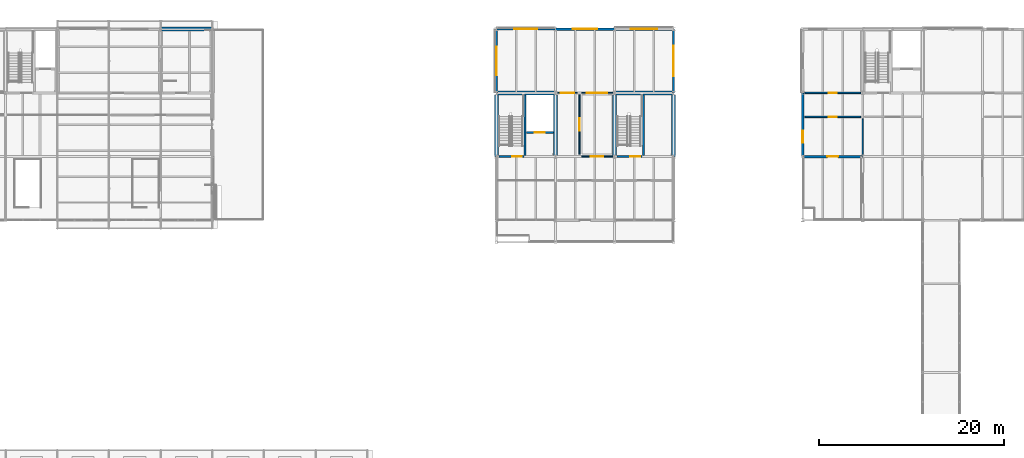
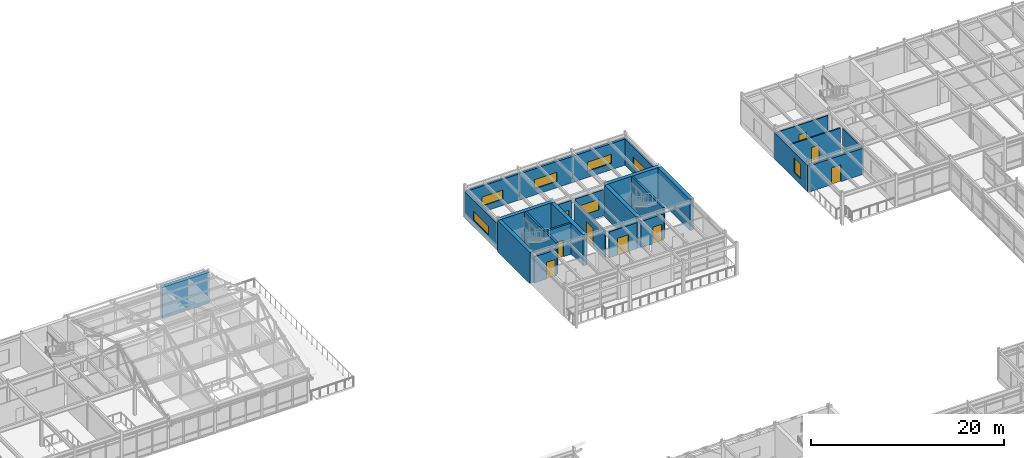
# One storey, part 134 of 144: 26 walls, 9 doors, 7 windows, 16 openings.
"""IFC4 building model written with IfcOpenShell, lengths in metres."""

from ifc_helpers import new_model, si_unit, direction, frame, frame_2d, origin, place, context, subcontext, project, spatial, rectangle, extrude, material, layer, layer_set, type_object, element, fill, save


model = new_model("IFC4")

# Units and contexts
model_context = context("Model", 3, precision=1e-05, world=origin(), true_north=direction((0.0, 1.0)))
body_context = subcontext(model_context, "Body", "Model", "MODEL_VIEW")
ifc_project = project(units=[si_unit("LENGTHUNIT", "METRE"), si_unit("AREAUNIT", "SQUARE_METRE"), si_unit("VOLUMEUNIT", "CUBIC_METRE"), si_unit("PLANEANGLEUNIT", "RADIAN"), si_unit("MASSUNIT", "GRAM", prefix="KILO")], contexts=[model_context])

# Site, building, storey
site_placement = place(None, origin())
site = spatial("IfcSite", under=ifc_project, at=site_placement, CompositionType="ELEMENT")
building_placement = place(site_placement, origin())
building = spatial("IfcBuilding", under=site, at=building_placement, Name="Trelmorton Wharf Fire Station", CompositionType="ELEMENT")
storey_placement = place(building_placement, frame((0.0, 0.0, 5.39990234375)))
storey = spatial("IfcBuildingStorey", under=building, at=storey_placement, Name="L01", CompositionType="ELEMENT", Elevation=5.39990234375)

# Wall, opening, window
ifc_material_1 = material(Name="Precast concrete 45 MPa", Category="concrete")
ifc_layer_1 = layer(ifc_material_1, 0.22998046875)
ifc_layer_set_1 = layer_set([ifc_layer_1], Name="Precast concrete 45 MPa")
wall_type_1 = type_object("IfcWallType", Name="EW_PREC_230", PredefinedType="SOLIDWALL", material=ifc_layer_set_1)
wall_1_placement = place(storey_placement, frame((70.804931640625, 81.0, 0.0), z_axis=(0.0, 0.0, 1.0), x_axis=(1.0, 0.0, 0.0)))
wall_1 = element("IfcWall", 1, at=wall_1_placement, inside=storey, type_object=wall_type_1, Name="EW-V2-L01-0162", PredefinedType="SOLIDWALL", context=body_context, shape_type="SweptSolid", body=[
    extrude(rectangle(XDim=6.39013671875, YDim=0.22998046875, at=frame_2d((3.195068359375, 0.0))), origin(), (0.0, 0.0, 1.0), 3.320068359375),
])
opening_1_placement = place(wall_1_placement, frame((1.945068359375, 0.0, 0.800048828125)))
opening_1 = element("IfcOpeningElement", 2, at=opening_1_placement, cuts=wall_1, Name="Opening W26", PredefinedType="OPENING", context=body_context, shape_type="SweptSolid", body=[
    extrude(rectangle(XDim=2.5, YDim=1.14990234375, at=frame_2d((1.25, 0.574951171875))), frame((0.0, 0.125, 0.0), z_axis=(0.0, -1.0, 0.0), x_axis=(1.0, 0.0, 0.0)), (0.0, 0.0, 1.0), 0.25),
])
ifc_material_2 = material(Name="Tempered low-E double glazing", Category="glass")
window_type_1 = type_object("IfcWindowType", Name="WIN_W26", PartitioningType="TRIPLE_PANEL_VERTICAL", PredefinedType="WINDOW", material=ifc_material_2)
window_1_placement = place(opening_1_placement, origin())
window_1 = element("IfcWindow", 3, at=window_1_placement, inside=storey, type_object=window_type_1, Name="WN-V2-L01-0088", OverallHeight=1.14990234375, OverallWidth=2.5, PartitioningType="TRIPLE_PANEL_VERTICAL", PredefinedType="WINDOW", context=body_context, shape_type="SweptSolid", body=[
    extrude(rectangle(XDim=2.5, YDim=1.14990234375, at=frame_2d((1.25, 0.574951171875))), frame((0.0, 0.030029296875, 0.0), z_axis=(0.0, -1.0, 0.0), x_axis=(1.0, 0.0, 0.0)), (0.0, 0.0, 1.0), 0.06005859375),
])
fill(opening_1, window_1)

wall_2_placement = place(storey_placement, frame((70.800048828125, 74.10498046875, 0.0), z_axis=(0.0, 0.0, 1.0), x_axis=(0.0, 1.0, 0.0)))
wall_2 = element("IfcWall", 4, at=wall_2_placement, inside=storey, type_object=wall_type_1, Name="EW-V2-L01-0168", PredefinedType="SOLIDWALL", context=body_context, shape_type="SweptSolid", body=[
    extrude(rectangle(XDim=6.89013671875, YDim=0.22998046875, at=frame_2d((3.445068359375, 0.0))), origin(), (0.0, 0.0, 1.0), 3.320068359375),
])
opening_2_placement = place(wall_2_placement, frame((1.89501953125, 0.0, 0.800048828125)))
opening_2 = element("IfcOpeningElement", 5, at=opening_2_placement, cuts=wall_2, Name="Opening W29", PredefinedType="OPENING", context=body_context, shape_type="SweptSolid", body=[
    extrude(rectangle(XDim=3.10009765625, YDim=1.14990234375, at=frame_2d((1.550048828125, 0.574951171875))), frame((0.0, 0.125, 0.0), z_axis=(0.0, -1.0, 0.0), x_axis=(1.0, 0.0, 0.0)), (0.0, 0.0, 1.0), 0.25),
])
window_type_2 = type_object("IfcWindowType", Name="WIN_W29", PartitioningType="TRIPLE_PANEL_VERTICAL", PredefinedType="WINDOW", material=ifc_material_2)
window_2_placement = place(opening_2_placement, origin())
window_2 = element("IfcWindow", 6, at=window_2_placement, inside=storey, type_object=window_type_2, Name="WN-V2-L01-0091", OverallHeight=1.14990234375, OverallWidth=3.10009765625, PartitioningType="TRIPLE_PANEL_VERTICAL", PredefinedType="WINDOW", context=body_context, shape_type="SweptSolid", body=[
    extrude(rectangle(XDim=3.10009765625, YDim=1.14990234375, at=frame_2d((1.550048828125, 0.574951171875))), frame((0.0, 0.030029296875, 0.0), z_axis=(0.0, -1.0, 0.0), x_axis=(1.0, 0.0, 0.0)), (0.0, 0.0, 1.0), 0.06005859375),
])
fill(opening_2, window_2)

ifc_layer_2 = layer(ifc_material_1, 0.25)
ifc_layer_set_2 = layer_set([ifc_layer_2], Name="Precast concrete 45 MPa")
wall_type_2 = type_object("IfcWallType", Name="EW_PREC_250", PredefinedType="SOLIDWALL", material=ifc_layer_set_2)
wall_3_placement = place(storey_placement, frame((90.0, 80.9951171875, 0.0), z_axis=(0.0, 0.0, 1.0), x_axis=(0.0, -1.0, 0.0)))
wall_3 = element("IfcWall", 7, at=wall_3_placement, inside=storey, type_object=wall_type_2, Name="EW-V2-L01-0169", PredefinedType="SOLIDWALL", context=body_context, shape_type="SweptSolid", body=[
    extrude(rectangle(XDim=6.89013671875, YDim=0.25, at=frame_2d((3.445068359375, 0.0))), origin(), (0.0, 0.0, 1.0), 3.320068359375),
])
opening_3_placement = place(wall_3_placement, frame((1.794921875, 0.0, 0.800048828125)))
opening_3 = element("IfcOpeningElement", 8, at=opening_3_placement, cuts=wall_3, Name="Opening W30", PredefinedType="OPENING", context=body_context, shape_type="SweptSolid", body=[
    extrude(rectangle(XDim=3.300048828125, YDim=1.25, at=frame_2d((1.64990234375, 0.625))), frame((0.0, 0.135009765625, 0.0), z_axis=(0.0, -1.0, 0.0), x_axis=(1.0, 0.0, 0.0)), (0.0, 0.0, 1.0), 0.27001953125),
])
window_type_3 = type_object("IfcWindowType", Name="WIN_W30", PartitioningType="TRIPLE_PANEL_VERTICAL", PredefinedType="WINDOW", material=ifc_material_2)
window_3_placement = place(opening_3_placement, origin())
window_3 = element("IfcWindow", 9, at=window_3_placement, inside=storey, type_object=window_type_3, Name="WN-V2-L01-0092", OverallHeight=1.25, OverallWidth=3.300048828125, PartitioningType="TRIPLE_PANEL_VERTICAL", PredefinedType="WINDOW", context=body_context, shape_type="SweptSolid", body=[
    extrude(rectangle(XDim=3.300048828125, YDim=1.25, at=frame_2d((1.64990234375, 0.625))), frame((0.0, 0.030029296875, 0.0), z_axis=(0.0, -1.0, 0.0), x_axis=(1.0, 0.0, 0.0)), (0.0, 0.0, 1.0), 0.06005859375),
])
fill(opening_3, window_3)

wall_4_placement = place(storey_placement, frame((104.0, 67.205078125, 0.0), z_axis=(0.0, 0.0, 1.0), x_axis=(0.0, 1.0, 0.0)))
wall_4 = element("IfcWall", 10, at=wall_4_placement, inside=storey, type_object=wall_type_2, Name="EW-V4-L01-0223", PredefinedType="SOLIDWALL", context=body_context, shape_type="SweptSolid", body=[
    extrude(rectangle(XDim=6.889892578125, YDim=0.25, at=frame_2d((3.44482421875, 0.0))), origin(), (0.0, 0.0, 1.0), 3.320068359375),
])
opening_4_placement = place(wall_4_placement, frame((1.512451171875, 0.0, 0.800048828125)))
opening_4 = element("IfcOpeningElement", 11, at=opening_4_placement, cuts=wall_4, Name="Opening W18", PredefinedType="OPENING", context=body_context, shape_type="SweptSolid", body=[
    extrude(rectangle(XDim=1.300048828125, YDim=1.800048828125, at=frame_2d((0.64990234375, 0.89990234375))), frame((0.0, 0.135009765625, 0.0), z_axis=(0.0, -1.0, 0.0), x_axis=(1.0, 0.0, 0.0)), (0.0, 0.0, 1.0), 0.27001953125),
])
window_type_4 = type_object("IfcWindowType", Name="WIN_W18", PartitioningType="SINGLE_PANEL", PredefinedType="WINDOW", material=ifc_material_2)
window_4_placement = place(opening_4_placement, origin())
window_4 = element("IfcWindow", 12, at=window_4_placement, inside=storey, type_object=window_type_4, Name="WN-V4-L01-0125", OverallHeight=1.800048828125, OverallWidth=1.300048828125, PartitioningType="SINGLE_PANEL", PredefinedType="WINDOW", context=body_context, shape_type="SweptSolid", body=[
    extrude(rectangle(XDim=1.300048828125, YDim=1.800048828125, at=frame_2d((0.64990234375, 0.89990234375))), frame((0.0, 0.030029296875, 0.0), z_axis=(0.0, -1.0, 0.0), x_axis=(1.0, 0.0, 0.0)), (0.0, 0.0, 1.0), 0.06005859375),
])
fill(opening_4, window_4)

ifc_layer_3 = layer(ifc_material_1, 0.27001953125)
ifc_layer_set_3 = layer_set([ifc_layer_3], Name="Precast concrete 45 MPa")
wall_type_3 = type_object("IfcWallType", Name="EW_PREC_270", PredefinedType="SOLIDWALL", material=ifc_layer_set_3)
wall_5_placement = place(storey_placement, frame((77.205078125, 81.0, 0.0), z_axis=(0.0, 0.0, 1.0), x_axis=(1.0, 0.0, 0.0)))
wall_5 = element("IfcWall", 13, at=wall_5_placement, inside=storey, type_object=wall_type_3, Name="EW-V2-L01-0164", PredefinedType="SOLIDWALL", context=body_context, shape_type="SweptSolid", body=[
    extrude(rectangle(XDim=6.389892578125, YDim=0.27001953125, at=frame_2d((3.19482421875, 0.0))), origin(), (0.0, 0.0, 1.0), 3.320068359375),
])
opening_5_placement = place(wall_5_placement, frame((1.844970703125, 0.0, 0.800048828125)))
opening_5 = element("IfcOpeningElement", 14, at=opening_5_placement, cuts=wall_5, Name="Opening W27", PredefinedType="OPENING", context=body_context, shape_type="SweptSolid", body=[
    extrude(rectangle(XDim=2.699951171875, YDim=1.14990234375, at=frame_2d((1.35009765625, 0.574951171875))), frame((0.0, 0.14501953125, 0.0), z_axis=(0.0, -1.0, 0.0), x_axis=(1.0, 0.0, 0.0)), (0.0, 0.0, 1.0), 0.2900390625),
])
window_type_5 = type_object("IfcWindowType", Name="WIN_W27", PartitioningType="TRIPLE_PANEL_VERTICAL", PredefinedType="WINDOW", material=ifc_material_2)
window_5_placement = place(opening_5_placement, origin())
window_5 = element("IfcWindow", 15, at=window_5_placement, inside=storey, type_object=window_type_5, Name="WN-V2-L01-0089", OverallHeight=1.14990234375, OverallWidth=2.699951171875, PartitioningType="TRIPLE_PANEL_VERTICAL", PredefinedType="WINDOW", context=body_context, shape_type="SweptSolid", body=[
    extrude(rectangle(XDim=2.699951171875, YDim=1.14990234375, at=frame_2d((1.35009765625, 0.574951171875))), frame((0.0, 0.030029296875, 0.0), z_axis=(0.0, -1.0, 0.0), x_axis=(1.0, 0.0, 0.0)), (0.0, 0.0, 1.0), 0.06005859375),
])
fill(opening_5, window_5)

# Wall, opening, door
wall_6_placement = place(storey_placement, frame((110.4951171875, 67.199951171875, 0.0), z_axis=(0.0, 0.0, 1.0), x_axis=(-1.0, 0.0, 0.0)))
wall_6 = element("IfcWall", 16, at=wall_6_placement, inside=storey, type_object=wall_type_3, Name="EW-V4-L01-0212", PredefinedType="SOLIDWALL", context=body_context, shape_type="SweptSolid", body=[
    extrude(rectangle(XDim=6.490234375, YDim=0.27001953125, at=frame_2d((3.2451171875, 0.0))), origin(), (0.0, 0.0, 1.0), 3.320068359375),
])
opening_6_placement = place(wall_6_placement, frame((2.675048828125, 0.0, 0.0)))
opening_6 = element("IfcOpeningElement", 17, at=opening_6_placement, cuts=wall_6, Name="Opening TD-034", PredefinedType="OPENING", context=body_context, shape_type="SweptSolid", body=[
    extrude(rectangle(XDim=1.139892578125, YDim=2.139892578125, at=frame_2d((0.56982421875, 1.06982421875))), frame((0.0, 0.14501953125, 0.0), z_axis=(0.0, -1.0, 0.0), x_axis=(1.0, 0.0, 0.0)), (0.0, 0.0, 1.0), 0.2900390625),
])
ifc_material_3 = material(Name="Anodised aluminium AW-6063", Category="aluminium")
door_type_1 = type_object("IfcDoorType", Name="DR_TER_SGL_114", OperationType="NOTDEFINED", PredefinedType="DOOR", material=ifc_material_3)
door_1_placement = place(opening_6_placement, origin())
door_1 = element("IfcDoor", 18, at=door_1_placement, inside=storey, type_object=door_type_1, Name="Terrace Door TD-034", OperationType="SINGLE_SWING_RIGHT", OverallHeight=2.139892578125, OverallWidth=1.139892578125, PredefinedType="DOOR", context=body_context, shape_type="SweptSolid", body=[
    extrude(rectangle(XDim=1.139892578125, YDim=2.139892578125, at=frame_2d((0.56982421875, 1.06982421875))), frame((0.0, 0.02490234375, 0.0), z_axis=(0.0, -1.0, 0.0), x_axis=(1.0, 0.0, 0.0)), (0.0, 0.0, 1.0), 0.050048828125),
])
fill(opening_6, door_1)

# Wall, opening, window
ifc_layer_4 = layer(ifc_material_1, 0.2900390625)
ifc_layer_set_4 = layer_set([ifc_layer_4], Name="Precast concrete 45 MPa")
wall_type_4 = type_object("IfcWallType", Name="EW_TERR_290", PredefinedType="SOLIDWALL", material=ifc_layer_set_4)
wall_7_placement = place(storey_placement, frame((83.60498046875, 81.0, 0.0), z_axis=(0.0, 0.0, 1.0), x_axis=(1.0, 0.0, 0.0)))
wall_7 = element("IfcWall", 19, at=wall_7_placement, inside=storey, type_object=wall_type_4, Name="EW-V2-L01-0165", PredefinedType="SOLIDWALL", context=body_context, shape_type="SweptSolid", body=[
    extrude(rectangle(XDim=6.39013671875, YDim=0.2900390625, at=frame_2d((3.195068359375, 0.0))), origin(), (0.0, 0.0, 1.0), 3.320068359375),
])
opening_7_placement = place(wall_7_placement, frame((1.7451171875, 0.0, 0.800048828125)))
opening_7 = element("IfcOpeningElement", 20, at=opening_7_placement, cuts=wall_7, Name="Opening W28", PredefinedType="OPENING", context=body_context, shape_type="SweptSolid", body=[
    extrude(rectangle(XDim=2.89990234375, YDim=1.14990234375, at=frame_2d((1.449951171875, 0.574951171875))), frame((0.0, 0.155029296875, 0.0), z_axis=(0.0, -1.0, 0.0), x_axis=(1.0, 0.0, 0.0)), (0.0, 0.0, 1.0), 0.31005859375),
])
window_type_6 = type_object("IfcWindowType", Name="WIN_W28", PartitioningType="TRIPLE_PANEL_VERTICAL", PredefinedType="WINDOW", material=ifc_material_2)
window_6_placement = place(opening_7_placement, origin())
window_6 = element("IfcWindow", 21, at=window_6_placement, inside=storey, type_object=window_type_6, Name="WN-V2-L01-0090", OverallHeight=1.14990234375, OverallWidth=2.89990234375, PartitioningType="TRIPLE_PANEL_VERTICAL", PredefinedType="WINDOW", context=body_context, shape_type="SweptSolid", body=[
    extrude(rectangle(XDim=2.89990234375, YDim=1.14990234375, at=frame_2d((1.449951171875, 0.574951171875))), frame((0.0, 0.030029296875, 0.0), z_axis=(0.0, -1.0, 0.0), x_axis=(1.0, 0.0, 0.0)), (0.0, 0.0, 1.0), 0.06005859375),
])
fill(opening_7, window_6)

# Wall
ifc_material_4 = material(Name="Gypsum plasterboard partition")
ifc_layer_5 = layer(ifc_material_4, 0.14990234375)
ifc_layer_set_5 = layer_set([ifc_layer_5], Name="Gypsum plasterboard partition")
wall_type_5 = type_object("IfcWallType", Name="IW_ACOU_150", PredefinedType="PARTITIONING", material=ifc_layer_set_5)
wall_8_placement = place(storey_placement, frame((110.5, 67.419921875, 0.0), z_axis=(0.0, 0.0, 1.0), x_axis=(0.0, 1.0, 0.0)))
element("IfcWall", 22, at=wall_8_placement, inside=storey, type_object=wall_type_5, Name="IW-L01-0114", PredefinedType="PARTITIONING", context=body_context, shape_type="SweptSolid", body=[
    extrude(rectangle(XDim=3.860107421875, YDim=0.14990234375, at=frame_2d((1.93017578125, 0.0))), origin(), (0.0, 0.0, 1.0), 3.300048828125),
])

# Wall, opening, door
wall_9_placement = place(storey_placement, frame((104.219970703125, 74.10009765625, 0.0), z_axis=(0.0, 0.0, 1.0), x_axis=(1.0, 0.0, 0.0)))
wall_9 = element("IfcWall", 23, at=wall_9_placement, inside=storey, type_object=wall_type_5, Name="IW-L01-0121", PredefinedType="PARTITIONING", context=body_context, shape_type="SweptSolid", body=[
    extrude(rectangle(XDim=6.06005859375, YDim=0.14990234375, at=frame_2d((3.030029296875, 0.0))), origin(), (0.0, 0.0, 1.0), 3.300048828125),
])
opening_8_placement = place(wall_9_placement, frame((2.574951171875, 0.0, 0.0)))
opening_8 = element("IfcOpeningElement", 24, at=opening_8_placement, cuts=wall_9, Name="Opening D-082", PredefinedType="OPENING", context=body_context, shape_type="SweptSolid", body=[
    extrude(rectangle(XDim=0.909912109375, YDim=2.06005859375, at=frame_2d((0.455078125, 1.030029296875))), frame((0.0, 0.0849609375, 0.0), z_axis=(0.0, -1.0, 0.0), x_axis=(1.0, 0.0, 0.0)), (0.0, 0.0, 1.0), 0.169921875),
])
ifc_material_5 = material(Name="Acoustic timber panelling", Category="wood")
door_type_2 = type_object("IfcDoorType", Name="DR_INT_091", OperationType="NOTDEFINED", PredefinedType="DOOR", material=ifc_material_5)
door_2_placement = place(opening_8_placement, origin())
door_2 = element("IfcDoor", 25, at=door_2_placement, inside=storey, type_object=door_type_2, Name="Interior Door D-082", OperationType="SINGLE_SWING_LEFT", OverallHeight=2.06005859375, OverallWidth=0.909912109375, PredefinedType="DOOR", context=body_context, shape_type="SweptSolid", body=[
    extrude(rectangle(XDim=0.909912109375, YDim=2.06005859375, at=frame_2d((0.455078125, 1.030029296875))), frame((0.0, 0.02490234375, 0.0), z_axis=(0.0, -1.0, 0.0), x_axis=(1.0, 0.0, 0.0)), (0.0, 0.0, 1.0), 0.050048828125),
])
fill(opening_8, door_2)

ifc_layer_6 = layer(ifc_material_4, 0.159912109375)
ifc_layer_set_6 = layer_set([ifc_layer_6], Name="Gypsum plasterboard partition")
wall_type_6 = type_object("IfcWallType", Name="IW_ACOU_160", PredefinedType="PARTITIONING", material=ifc_layer_set_6)
wall_10_placement = place(storey_placement, frame((104.219970703125, 71.5, 0.0), z_axis=(0.0, 0.0, 1.0), x_axis=(1.0, 0.0, 0.0)))
wall_10 = element("IfcWall", 26, at=wall_10_placement, inside=storey, type_object=wall_type_6, Name="IW-L01-0120", PredefinedType="PARTITIONING", context=body_context, shape_type="SweptSolid", body=[
    extrude(rectangle(XDim=6.06005859375, YDim=0.159912109375, at=frame_2d((3.030029296875, 0.0))), origin(), (0.0, 0.0, 1.0), 3.300048828125),
])
opening_9_placement = place(wall_10_placement, frame((2.590087890625, 0.0, 0.0)))
opening_9 = element("IfcOpeningElement", 27, at=opening_9_placement, cuts=wall_10, Name="Opening D-081", PredefinedType="OPENING", context=body_context, shape_type="SweptSolid", body=[
    extrude(rectangle(XDim=0.8798828125, YDim=2.0400390625, at=frame_2d((0.43994140625, 1.02001953125))), frame((0.0, 0.08984375, 0.0), z_axis=(0.0, -1.0, 0.0), x_axis=(1.0, 0.0, 0.0)), (0.0, 0.0, 1.0), 0.179931640625),
])
door_type_3 = type_object("IfcDoorType", Name="DR_INT_088", OperationType="NOTDEFINED", PredefinedType="DOOR", material=ifc_material_5)
door_3_placement = place(opening_9_placement, origin())
door_3 = element("IfcDoor", 28, at=door_3_placement, inside=storey, type_object=door_type_3, Name="Interior Door D-081", OperationType="SINGLE_SWING_RIGHT", OverallHeight=2.0400390625, OverallWidth=0.8798828125, PredefinedType="DOOR", context=body_context, shape_type="SweptSolid", body=[
    extrude(rectangle(XDim=0.8798828125, YDim=2.0400390625, at=frame_2d((0.43994140625, 1.02001953125))), frame((0.0, 0.02490234375, 0.0), z_axis=(0.0, -1.0, 0.0), x_axis=(1.0, 0.0, 0.0)), (0.0, 0.0, 1.0), 0.050048828125),
])
fill(opening_9, door_3)

# Wall
ifc_material_6 = material(Name="Concrete 40 MPa", Category="concrete")
ifc_layer_7 = layer(ifc_material_6, 0.219970703125)
ifc_layer_set_7 = layer_set([ifc_layer_7], Name="Concrete 40 MPa")
wall_type_7 = type_object("IfcWallType", Name="IW_CORE_220", PredefinedType="SOLIDWALL", material=ifc_layer_set_7)
wall_11_placement = place(storey_placement, frame((73.919921875, 67.320068359375, 0.0), z_axis=(0.0, 0.0, 1.0), x_axis=(0.0, 1.0, 0.0)))
element("IfcWall", 29, at=wall_11_placement, inside=storey, type_object=wall_type_7, Name="IW-C6-DIV-L01", PredefinedType="SOLIDWALL", context=body_context, shape_type="SweptSolid", body=[
    extrude(rectangle(XDim=6.554931640625, YDim=0.219970703125, at=frame_2d((3.27734375, 0.0))), origin(), (0.0, 0.0, 1.0), 3.960205078125),
])

# Wall, opening, door
wall_12_placement = place(storey_placement, frame((71.06005859375, 67.199951171875, 0.0), z_axis=(0.0, 0.0, 1.0), x_axis=(1.0, 0.0, 0.0)))
wall_12 = element("IfcWall", 30, at=wall_12_placement, inside=storey, type_object=wall_type_7, Name="IW-C6-SF-L01", PredefinedType="SOLIDWALL", context=body_context, shape_type="SweptSolid", body=[
    extrude(rectangle(XDim=2.739990234375, YDim=0.219970703125, at=frame_2d((1.3701171875, 0.0))), origin(), (0.0, 0.0, 1.0), 3.320068359375),
])
opening_10_placement = place(wall_12_placement, frame((1.43994140625, 0.0, 0.0)))
opening_10 = element("IfcOpeningElement", 31, at=opening_10_placement, cuts=wall_12, Name="Opening FD-029", PredefinedType="OPENING", context=body_context, shape_type="SweptSolid", body=[
    extrude(rectangle(XDim=1.06005859375, YDim=2.10009765625, at=frame_2d((0.530029296875, 1.050048828125))), frame((0.0, 0.1201171875, 0.0), z_axis=(0.0, -1.0, 0.0), x_axis=(1.0, 0.0, 0.0)), (0.0, 0.0, 1.0), 0.239990234375),
])
ifc_material_7 = material(Name="Stainless steel 316 marine grade", Category="steel")
door_type_4 = type_object("IfcDoorType", Name="DR_FIRE_106", OperationType="NOTDEFINED", PredefinedType="DOOR", material=ifc_material_7)
door_4_placement = place(opening_10_placement, origin())
door_4 = element("IfcDoor", 32, at=door_4_placement, inside=storey, type_object=door_type_4, Name="Stair Fire Door FD-029", OperationType="SINGLE_SWING_LEFT", OverallHeight=2.10009765625, OverallWidth=1.06005859375, PredefinedType="DOOR", context=body_context, shape_type="SweptSolid", body=[
    extrude(rectangle(XDim=1.06005859375, YDim=2.10009765625, at=frame_2d((0.530029296875, 1.050048828125))), frame((0.0, 0.02490234375, 0.0), z_axis=(0.0, -1.0, 0.0), x_axis=(1.0, 0.0, 0.0)), (0.0, 0.0, 1.0), 0.050048828125),
])
fill(opening_10, door_4)

wall_13_placement = place(storey_placement, frame((74.0400390625, 69.800048828125, 0.0), z_axis=(0.0, 0.0, 1.0), x_axis=(1.0, 0.0, 0.0)))
wall_13 = element("IfcWall", 33, at=wall_13_placement, inside=storey, type_object=wall_type_7, Name="IW-C6-LSH-L01", PredefinedType="SOLIDWALL", context=body_context, shape_type="SweptSolid", body=[
    extrude(rectangle(XDim=2.93505859375, YDim=0.219970703125, at=frame_2d((1.467529296875, 0.0))), origin(), (0.0, 0.0, 1.0), 3.960205078125),
])
opening_11_placement = place(wall_13_placement, frame((0.91748046875, 0.0, 0.0)))
opening_11 = element("IfcOpeningElement", 34, at=opening_11_placement, cuts=wall_13, Name="Opening LD-027", PredefinedType="OPENING", context=body_context, shape_type="SweptSolid", body=[
    extrude(rectangle(XDim=1.10009765625, YDim=2.10009765625, at=frame_2d((0.550048828125, 1.050048828125))), frame((0.0, 0.1201171875, 0.0), z_axis=(0.0, -1.0, 0.0), x_axis=(1.0, 0.0, 0.0)), (0.0, 0.0, 1.0), 0.239990234375),
])
door_type_5 = type_object("IfcDoorType", Name="DR_LIFT_110", OperationType="DOUBLE_DOOR_SLIDING", PredefinedType="DOOR", material=ifc_material_7)
door_5_placement = place(opening_11_placement, origin())
door_5 = element("IfcDoor", 35, at=door_5_placement, inside=storey, type_object=door_type_5, Name="Lift Landing Door LD-027", OperationType="DOUBLE_DOOR_SLIDING", OverallHeight=2.10009765625, OverallWidth=1.10009765625, PredefinedType="DOOR", context=body_context, shape_type="SweptSolid", body=[
    extrude(rectangle(XDim=1.10009765625, YDim=2.10009765625, at=frame_2d((0.550048828125, 1.050048828125))), frame((0.0, 0.02490234375, 0.0), z_axis=(0.0, -1.0, 0.0), x_axis=(1.0, 0.0, 0.0)), (0.0, 0.0, 1.0), 0.050048828125),
])
fill(opening_11, door_5)

# Wall
wall_14_placement = place(storey_placement, frame((86.719970703125, 67.320068359375, 0.0), z_axis=(0.0, 0.0, 1.0), x_axis=(0.0, 1.0, 0.0)))
element("IfcWall", 36, at=wall_14_placement, inside=storey, type_object=wall_type_7, Name="IW-C6B-DIV-L01", PredefinedType="SOLIDWALL", context=body_context, shape_type="SweptSolid", body=[
    extrude(rectangle(XDim=6.554931640625, YDim=0.219970703125, at=frame_2d((3.27734375, 0.0))), origin(), (0.0, 0.0, 1.0), 3.960205078125),
])

# Wall, opening, door
wall_15_placement = place(storey_placement, frame((83.860107421875, 67.199951171875, 0.0), z_axis=(0.0, 0.0, 1.0), x_axis=(1.0, 0.0, 0.0)))
wall_15 = element("IfcWall", 37, at=wall_15_placement, inside=storey, type_object=wall_type_7, Name="IW-C6B-SF-L01", PredefinedType="SOLIDWALL", context=body_context, shape_type="SweptSolid", body=[
    extrude(rectangle(XDim=2.739990234375, YDim=0.219970703125, at=frame_2d((1.3701171875, 0.0))), origin(), (0.0, 0.0, 1.0), 3.320068359375),
])
opening_12_placement = place(wall_15_placement, frame((1.43994140625, 0.0, 0.0)))
opening_12 = element("IfcOpeningElement", 38, at=opening_12_placement, cuts=wall_15, Name="Opening FD-036", PredefinedType="OPENING", context=body_context, shape_type="SweptSolid", body=[
    extrude(rectangle(XDim=1.06005859375, YDim=2.10009765625, at=frame_2d((0.530029296875, 1.050048828125))), frame((0.0, 0.1201171875, 0.0), z_axis=(0.0, -1.0, 0.0), x_axis=(1.0, 0.0, 0.0)), (0.0, 0.0, 1.0), 0.239990234375),
])
door_6_placement = place(opening_12_placement, origin())
door_6 = element("IfcDoor", 39, at=door_6_placement, inside=storey, type_object=door_type_4, Name="Stair Fire Door FD-036", OperationType="SINGLE_SWING_RIGHT", OverallHeight=2.10009765625, OverallWidth=1.06005859375, PredefinedType="DOOR", context=body_context, shape_type="SweptSolid", body=[
    extrude(rectangle(XDim=1.06005859375, YDim=2.10009765625, at=frame_2d((0.530029296875, 1.050048828125))), frame((0.0, 0.02490234375, 0.0), z_axis=(0.0, -1.0, 0.0), x_axis=(1.0, 0.0, 0.0)), (0.0, 0.0, 1.0), 0.050048828125),
])
fill(opening_12, door_6)

# Wall, opening, window
ifc_layer_8 = layer(ifc_material_4, 0.10009765625)
ifc_layer_set_8 = layer_set([ifc_layer_8], Name="Gypsum plasterboard partition")
wall_type_8 = type_object("IfcWallType", Name="IW_PART_100", PredefinedType="PARTITIONING", material=ifc_layer_set_8)
wall_16_placement = place(storey_placement, frame((80.02001953125, 74.10009765625, 0.0), z_axis=(0.0, 0.0, 1.0), x_axis=(1.0, 0.0, 0.0)))
wall_16 = element("IfcWall", 40, at=wall_16_placement, inside=storey, type_object=wall_type_8, Name="IW-L01-0112", PredefinedType="PARTITIONING", context=body_context, shape_type="SweptSolid", body=[
    extrude(rectangle(XDim=3.35986328125, YDim=0.10009765625, at=frame_2d((1.679931640625, 0.0))), origin(), (0.0, 0.0, 1.0), 3.300048828125),
])
opening_13_placement = place(wall_16_placement, frame((0.580078125, 0.0, 0.949951171875)))
opening_13 = element("IfcOpeningElement", 41, at=opening_13_placement, cuts=wall_16, Name="Opening IW-OB1", PredefinedType="OPENING", context=body_context, shape_type="SweptSolid", body=[
    extrude(rectangle(XDim=2.199951171875, YDim=1.300048828125, at=frame_2d((1.10009765625, 0.64990234375))), frame((0.0, 0.06005859375, 0.0), z_axis=(0.0, -1.0, 0.0), x_axis=(1.0, 0.0, 0.0)), (0.0, 0.0, 1.0), 0.1201171875),
])
window_type_7 = type_object("IfcWindowType", Name="WIN_INT_220", PartitioningType="DOUBLE_PANEL_VERTICAL", PredefinedType="WINDOW", material=ifc_material_2)
window_7_placement = place(opening_13_placement, origin())
window_7 = element("IfcWindow", 42, at=window_7_placement, inside=storey, type_object=window_type_7, Name="WN-INT-0112", OverallHeight=1.300048828125, OverallWidth=2.199951171875, PartitioningType="DOUBLE_PANEL_VERTICAL", PredefinedType="WINDOW", context=body_context, shape_type="SweptSolid", body=[
    extrude(rectangle(XDim=2.199951171875, YDim=1.300048828125, at=frame_2d((1.10009765625, 0.64990234375))), frame((0.0, 0.030029296875, 0.0), z_axis=(0.0, -1.0, 0.0), x_axis=(1.0, 0.0, 0.0)), (0.0, 0.0, 1.0), 0.06005859375),
])
fill(opening_13, window_7)

# Wall, opening, door
ifc_layer_9 = layer(ifc_material_4, 0.110107421875)
ifc_layer_set_9 = layer_set([ifc_layer_9], Name="Gypsum plasterboard partition")
wall_type_9 = type_object("IfcWallType", Name="IW_PART_110", PredefinedType="PARTITIONING", material=ifc_layer_set_9)
wall_17_placement = place(storey_placement, frame((77.419921875, 74.10009765625, 0.0), z_axis=(0.0, 0.0, 1.0), x_axis=(1.0, 0.0, 0.0)))
wall_17 = element("IfcWall", 43, at=wall_17_placement, inside=storey, type_object=wall_type_9, Name="IW-L01-0111", PredefinedType="PARTITIONING", context=body_context, shape_type="SweptSolid", body=[
    extrude(rectangle(XDim=2.16015625, YDim=0.110107421875, at=frame_2d((1.080078125, 0.0))), origin(), (0.0, 0.0, 1.0), 3.300048828125),
])
opening_14_placement = place(wall_17_placement, frame((0.3701171875, 0.0, 0.0)))
opening_14 = element("IfcOpeningElement", 44, at=opening_14_placement, cuts=wall_17, Name="Opening D-075", PredefinedType="OPENING", context=body_context, shape_type="SweptSolid", body=[
    extrude(rectangle(XDim=1.419921875, YDim=2.14990234375, at=frame_2d((0.7099609375, 1.074951171875))), frame((0.0, 0.06494140625, 0.0), z_axis=(0.0, -1.0, 0.0), x_axis=(1.0, 0.0, 0.0)), (0.0, 0.0, 1.0), 0.130126953125),
])
door_type_6 = type_object("IfcDoorType", Name="DR_INT_142", OperationType="DOUBLE_DOOR_SINGLE_SWING", PredefinedType="DOOR", material=ifc_material_5)
door_7_placement = place(opening_14_placement, origin())
door_7 = element("IfcDoor", 45, at=door_7_placement, inside=storey, type_object=door_type_6, Name="Interior Door D-075", OperationType="DOUBLE_DOOR_SINGLE_SWING", OverallHeight=2.14990234375, OverallWidth=1.419921875, PredefinedType="DOOR", context=body_context, shape_type="SweptSolid", body=[
    extrude(rectangle(XDim=1.419921875, YDim=2.14990234375, at=frame_2d((0.7099609375, 1.074951171875))), frame((0.0, 0.02490234375, 0.0), z_axis=(0.0, -1.0, 0.0), x_axis=(1.0, 0.0, 0.0)), (0.0, 0.0, 1.0), 0.050048828125),
])
fill(opening_14, door_7)

ifc_layer_10 = layer(ifc_material_4, 0.1298828125)
ifc_layer_set_10 = layer_set([ifc_layer_10], Name="Gypsum plasterboard partition")
wall_type_10 = type_object("IfcWallType", Name="IW_PART_130", PredefinedType="PARTITIONING", material=ifc_layer_set_10)
wall_18_placement = place(storey_placement, frame((80.02001953125, 67.199951171875, 0.0), z_axis=(0.0, 0.0, 1.0), x_axis=(1.0, 0.0, 0.0)))
wall_18 = element("IfcWall", 46, at=wall_18_placement, inside=storey, type_object=wall_type_10, Name="IW-L01-0109", PredefinedType="PARTITIONING", context=body_context, shape_type="SweptSolid", body=[
    extrude(rectangle(XDim=3.35986328125, YDim=0.1298828125, at=frame_2d((1.679931640625, 0.0))), origin(), (0.0, 0.0, 1.0), 3.300048828125),
])
opening_15_placement = place(wall_18_placement, frame((1.02490234375, 0.0, 0.0)))
opening_15 = element("IfcOpeningElement", 47, at=opening_15_placement, cuts=wall_18, Name="Opening D-073", PredefinedType="OPENING", context=body_context, shape_type="SweptSolid", body=[
    extrude(rectangle(XDim=1.31005859375, YDim=2.139892578125, at=frame_2d((0.655029296875, 1.06982421875))), frame((0.0, 0.074951171875, 0.0), z_axis=(0.0, -1.0, 0.0), x_axis=(1.0, 0.0, 0.0)), (0.0, 0.0, 1.0), 0.14990234375),
])
door_type_7 = type_object("IfcDoorType", Name="DR_INT_131", OperationType="NOTDEFINED", PredefinedType="DOOR", material=ifc_material_5)
door_8_placement = place(opening_15_placement, origin())
door_8 = element("IfcDoor", 48, at=door_8_placement, inside=storey, type_object=door_type_7, Name="Interior Door D-073", OperationType="SINGLE_SWING_LEFT", OverallHeight=2.139892578125, OverallWidth=1.31005859375, PredefinedType="DOOR", context=body_context, shape_type="SweptSolid", body=[
    extrude(rectangle(XDim=1.31005859375, YDim=2.139892578125, at=frame_2d((0.655029296875, 1.06982421875))), frame((0.0, 0.02490234375, 0.0), z_axis=(0.0, -1.0, 0.0), x_axis=(1.0, 0.0, 0.0)), (0.0, 0.0, 1.0), 0.050048828125),
])
fill(opening_15, door_8)

ifc_layer_11 = layer(ifc_material_4, 0.1201171875)
ifc_layer_set_11 = layer_set([ifc_layer_11], Name="Gypsum plasterboard partition")
wall_type_11 = type_object("IfcWallType", Name="IW_WET_120", PredefinedType="PARTITIONING", material=ifc_layer_set_11)
wall_19_placement = place(storey_placement, frame((79.800048828125, 67.419921875, 0.0), z_axis=(0.0, 0.0, 1.0), x_axis=(0.0, 1.0, 0.0)))
wall_19 = element("IfcWall", 49, at=wall_19_placement, inside=storey, type_object=wall_type_11, Name="IW-L01-0110", PredefinedType="PARTITIONING", context=body_context, shape_type="SweptSolid", body=[
    extrude(rectangle(XDim=6.4599609375, YDim=0.1201171875, at=frame_2d((3.22998046875, 0.0))), origin(), (0.0, 0.0, 1.0), 3.300048828125),
])
opening_16_placement = place(wall_19_placement, frame((2.550048828125, 0.0, 0.0)))
opening_16 = element("IfcOpeningElement", 50, at=opening_16_placement, cuts=wall_19, Name="Opening D-074", PredefinedType="OPENING", context=body_context, shape_type="SweptSolid", body=[
    extrude(rectangle(XDim=1.360107421875, YDim=2.14990234375, at=frame_2d((0.68017578125, 1.074951171875))), frame((0.0, 0.070068359375, 0.0), z_axis=(0.0, -1.0, 0.0), x_axis=(1.0, 0.0, 0.0)), (0.0, 0.0, 1.0), 0.14013671875),
])
door_type_8 = type_object("IfcDoorType", Name="DR_INT_136", OperationType="DOUBLE_DOOR_SINGLE_SWING", PredefinedType="DOOR", material=ifc_material_5)
door_9_placement = place(opening_16_placement, origin())
door_9 = element("IfcDoor", 51, at=door_9_placement, inside=storey, type_object=door_type_8, Name="Interior Door D-074", OperationType="DOUBLE_DOOR_SINGLE_SWING", OverallHeight=2.14990234375, OverallWidth=1.360107421875, PredefinedType="DOOR", context=body_context, shape_type="SweptSolid", body=[
    extrude(rectangle(XDim=1.360107421875, YDim=2.14990234375, at=frame_2d((0.68017578125, 1.074951171875))), frame((0.0, 0.02490234375, 0.0), z_axis=(0.0, -1.0, 0.0), x_axis=(1.0, 0.0, 0.0)), (0.0, 0.0, 1.0), 0.050048828125),
])
fill(opening_16, door_9)

# Walls
ifc_material_8 = material(Name="Concrete 50 MPa", Category="concrete")
ifc_layer_12 = layer(ifc_material_8, 0.43994140625)
ifc_layer_set_12 = layer_set([ifc_layer_12], Name="Concrete 50 MPa")
wall_type_12 = type_object("IfcWallType", Name="WL_CORE_440", PredefinedType="SHEAR", material=ifc_layer_set_12)
wall_20_placement = place(storey_placement, frame((34.39990234375, 81.0, 0.0), z_axis=(0.0, 0.0, 1.0), x_axis=(1.0, 0.0, 0.0)))
element("IfcWall", 52, at=wall_20_placement, inside=storey, type_object=wall_type_12, Name="WL-SW-C5B-L01-079", PredefinedType="SHEAR", context=body_context, shape_type="SweptSolid", body=[
    extrude(rectangle(XDim=5.60009765625, YDim=0.43994140625, at=frame_2d((2.800048828125, 0.0))), origin(), (0.0, 0.0, 1.0), 3.960205078125),
])
wall_21_placement = place(storey_placement, frame((70.800048828125, 74.10009765625, 0.0), z_axis=(0.0, 0.0, 1.0), x_axis=(1.0, 0.0, 0.0)))
element("IfcWall", 53, at=wall_21_placement, inside=storey, type_object=wall_type_12, Name="WL-SW-C6-L01-085", PredefinedType="SHEAR", context=body_context, shape_type="SweptSolid", body=[
    extrude(rectangle(XDim=6.39990234375, YDim=0.43994140625, at=frame_2d((3.199951171875, 0.0))), origin(), (0.0, 0.0, 1.0), 3.960205078125),
])
for number, where, z_axis, x_axis, name in (
    (54, (70.800048828125, 67.199951171875, 0.0), (0.0, 0.0, 1.0), (0.0, 1.0, 0.0), "WL-SW-C6-L01-086"),
    (55, (77.199951171875, 67.199951171875, 0.0), (0.0, 0.0, 1.0), (0.0, 1.0, 0.0), "WL-SW-C6-L01-087"),
):
    element("IfcWall", number, at=place(storey_placement, frame(where, z_axis=z_axis, x_axis=x_axis)), inside=storey, type_object=wall_type_12, Name=name, PredefinedType="SHEAR", context=body_context, shape_type="SweptSolid", body=[
        extrude(rectangle(XDim=6.679931640625, YDim=0.43994140625, at=frame_2d((3.33984375, 0.0))), origin(), (0.0, 0.0, 1.0), 3.960205078125),
    ])
wall_22_placement = place(storey_placement, frame((83.60009765625, 74.10009765625, 0.0), z_axis=(0.0, 0.0, 1.0), x_axis=(1.0, 0.0, 0.0)))
element("IfcWall", 56, at=wall_22_placement, inside=storey, type_object=wall_type_12, Name="WL-SW-C6B-L01-106", PredefinedType="SHEAR", context=body_context, shape_type="SweptSolid", body=[
    extrude(rectangle(XDim=6.39990234375, YDim=0.43994140625, at=frame_2d((3.199951171875, 0.0))), origin(), (0.0, 0.0, 1.0), 3.960205078125),
])
for number, where, z_axis, x_axis, name in (
    (57, (83.60009765625, 67.199951171875, 0.0), (0.0, 0.0, 1.0), (0.0, 1.0, 0.0), "WL-SW-C6B-L01-107"),
    (58, (90.0, 67.199951171875, 0.0), (0.0, 0.0, 1.0), (0.0, 1.0, 0.0), "WL-SW-C6B-L01-108"),
):
    element("IfcWall", number, at=place(storey_placement, frame(where, z_axis=z_axis, x_axis=x_axis)), inside=storey, type_object=wall_type_12, Name=name, PredefinedType="SHEAR", context=body_context, shape_type="SweptSolid", body=[
        extrude(rectangle(XDim=6.679931640625, YDim=0.43994140625, at=frame_2d((3.33984375, 0.0))), origin(), (0.0, 0.0, 1.0), 3.960205078125),
    ])

save(model, "model.ifc")
